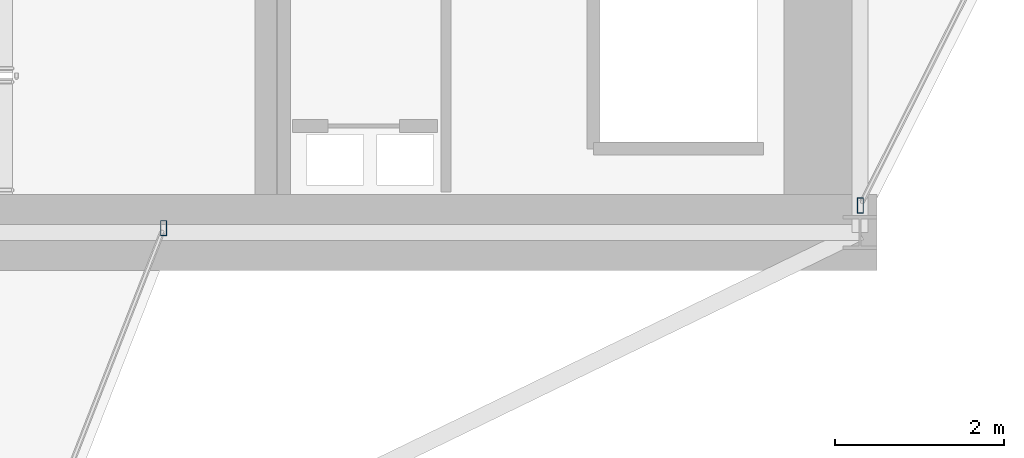
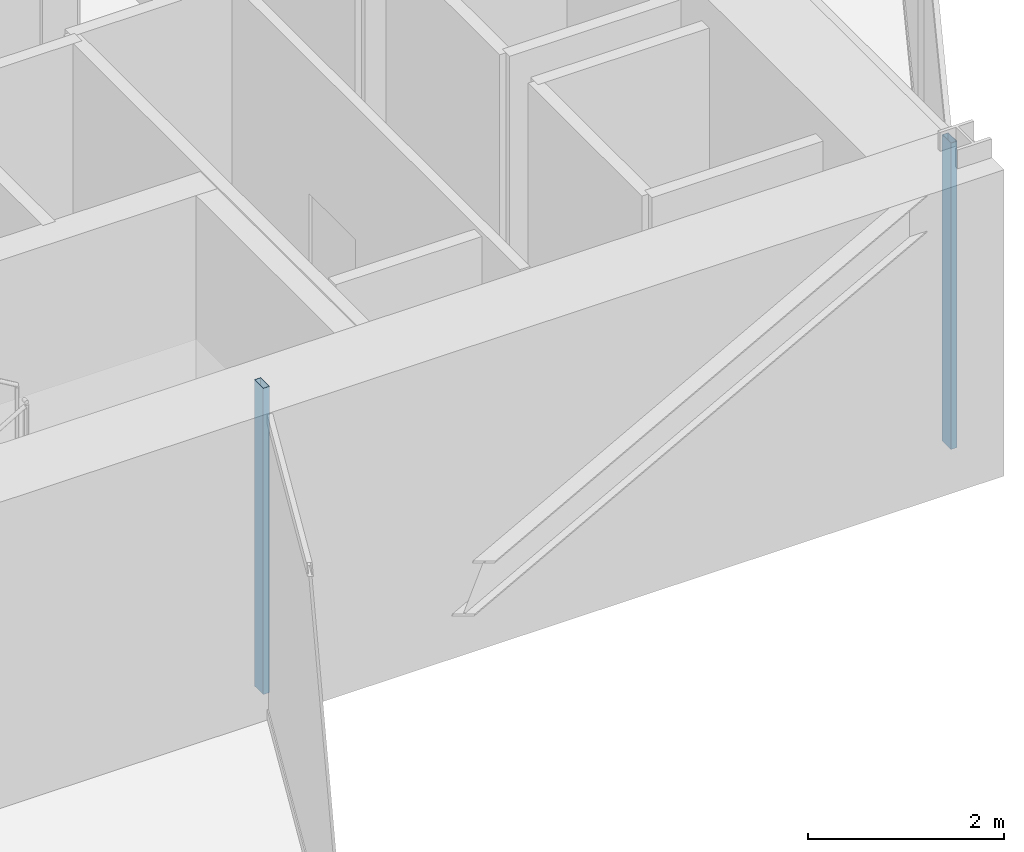
# One storey, part 15 of 29: 2 members, 2 elements without a shape of their own.
"""IFC4 building model written with IfcOpenShell, lengths in metres."""

import ifcopenshell
import ifcopenshell.guid

model = None  # the IFC model being written
_history = None  # IfcOwnerHistory: only IFC2X3 demands one
_inside = {}  # id of a spatial element -> (the spatial element, [elements in it])
_under = {}  # id of a project, library or spatial element -> (it, [spatial elements below it])
_declared = {}  # id of a project -> (the project, [libraries it declares])
_typed = {}  # id of a type object -> (the type object, [elements of that type])
_made_of = {}  # id of a material, layer set ... -> (it, [elements and type objects made of it])


def new_model(schema):
    """Start an empty IFC model of exactly this schema.

    Asked for "IFC4X3", IfcOpenShell would pick the latest addendum, in which some entities
    have other attributes; the version numbers below select the first issue.
    IFC2X3 requires an IfcOwnerHistory on every rooted entity: one is made here for all.
    """
    global model, _history
    if schema == "IFC4X3":
        model = ifcopenshell.file(schema_version=(4, 3, 0, 0))
    else:
        model = ifcopenshell.file(schema=schema)
    _inside.clear()
    _under.clear()
    _declared.clear()
    _typed.clear()
    _made_of.clear()
    _history = None
    if model.schema == "IFC2X3":
        org = make("IfcOrganization", Name="unknown")
        user = make(
            "IfcPersonAndOrganization",
            ThePerson=make("IfcPerson", FamilyName="unknown"),
            TheOrganization=org,
        )
        app = make(
            "IfcApplication",
            ApplicationDeveloper=org,
            Version="unknown",
            ApplicationFullName="unknown",
            ApplicationIdentifier="unknown",
        )
        _history = make(
            "IfcOwnerHistory",
            OwningUser=user,
            OwningApplication=app,
            ChangeAction="ADDED",
            CreationDate=0,
        )
    return model


def make(cls, **values):
    """One entity of the class cls with the attributes given. An attribute that is None is left unset."""
    return model.create_entity(
        cls, **{name: value for name, value in values.items() if value is not None}
    )


def rooted(cls, **values):
    """An entity with a GlobalId (a new one), such as an element, a storey or a relation."""
    return make(cls, GlobalId=ifcopenshell.guid.new(), OwnerHistory=_history, **values)


def si_unit(unit_type, name, prefix=None):
    """IfcSIUnit, for example si_unit("LENGTHUNIT", "METRE", prefix="MILLI")."""
    return make("IfcSIUnit", UnitType=unit_type, Prefix=prefix, Name=name)


def assignment(units):
    """IfcUnitAssignment: the units of a project."""
    return None if units is None else make("IfcUnitAssignment", Units=units)


def point(xyz):
    """IfcCartesianPoint."""
    return None if xyz is None else make("IfcCartesianPoint", Coordinates=xyz)


def direction(xyz):
    """IfcDirection."""
    return None if xyz is None else make("IfcDirection", DirectionRatios=xyz)


def frame(location, z_axis=None, x_axis=None):
    """IfcAxis2Placement3D, a coordinate frame: its origin and axes. An axis left out is left unset."""
    return make(
        "IfcAxis2Placement3D",
        Location=point(location),
        Axis=direction(z_axis),
        RefDirection=direction(x_axis),
    )


def frame_2d(location, x_axis=None):
    """IfcAxis2Placement2D, a coordinate frame in the plane: its origin and x axis."""
    return make(
        "IfcAxis2Placement2D", Location=point(location), RefDirection=direction(x_axis)
    )


def origin():
    """The frame at (0, 0, 0) with its axes left unset."""
    return frame((0.0, 0.0, 0.0))


def origin_2d():
    """The frame at (0, 0) in the plane with its x axis left unset."""
    return frame_2d((0.0, 0.0))


def place(relative_to, where):
    """IfcLocalPlacement: puts the frame where relative to a parent placement (None: the world)."""
    return make(
        "IfcLocalPlacement", PlacementRelTo=relative_to, RelativePlacement=where
    )


def context(
    kind, dimensions, precision=None, world=None, true_north=None, identifier=None
):
    """IfcGeometricRepresentationContext, for example the 3D "Model" context."""
    return make(
        "IfcGeometricRepresentationContext",
        ContextIdentifier=identifier,
        ContextType=kind,
        CoordinateSpaceDimension=dimensions,
        Precision=precision,
        WorldCoordinateSystem=world,
        TrueNorth=true_north,
    )


def subcontext(parent, identifier, kind, view, scale=None):
    """IfcGeometricRepresentationSubContext, for example "Body" below "Model"."""
    return make(
        "IfcGeometricRepresentationSubContext",
        ContextIdentifier=identifier,
        ContextType=kind,
        ParentContext=parent,
        TargetScale=scale,
        TargetView=view,
    )


def project(units=None, contexts=None):
    """IfcProject with its units and contexts."""
    return rooted(
        "IfcProject",
        Name="project",
        RepresentationContexts=contexts,
        UnitsInContext=assignment(units),
    )


def spatial(cls, under=None, at=None, **own):
    """A site, building, storey or space (cls), placed at a placement, below another one or the project."""
    s = rooted(cls, ObjectPlacement=at, **own)
    if under is not None:
        _under.setdefault(under.id(), (under, []))[1].append(s)
    return s


def profile(cls, at=None, kind="AREA", **sizes):
    """A parametric profile (cls). Its sizes go by their IFC names, for example OverallWidth=200.0."""
    return make(cls, ProfileType=kind, Position=at, **sizes)


def hollow_rectangle(**sizes):
    """IfcRectangleHollowProfileDef."""
    return profile("IfcRectangleHollowProfileDef", **sizes)


def extrude(swept, where, along, depth):
    """IfcExtrudedAreaSolid: the profile swept, set in the frame where, extruded along a direction by depth."""
    return make(
        "IfcExtrudedAreaSolid",
        SweptArea=swept,
        Position=where,
        ExtrudedDirection=direction(along),
        Depth=depth,
    )


def shape(context_of_items, identifier, shape_type, items):
    """IfcShapeRepresentation: the items that make up one representation, for example the "Body"."""
    return make(
        "IfcShapeRepresentation",
        ContextOfItems=context_of_items,
        RepresentationIdentifier=identifier,
        RepresentationType=shape_type,
        Items=items,
    )


def material(Name=None, Category=None):
    """IfcMaterial."""
    return make("IfcMaterial", Name=Name, Category=Category)


def layer(
    of_material, thickness, ventilated=None, Name=None, Category=None, Priority=None
):
    """IfcMaterialLayer: one layer of a wall or slab, of a material (None: an air gap)."""
    return make(
        "IfcMaterialLayer",
        Material=of_material,
        LayerThickness=thickness,
        IsVentilated=ventilated,
        Name=Name,
        Category=Category,
        Priority=Priority,
    )


def layer_set(layers, Name=None):
    """IfcMaterialLayerSet."""
    return make("IfcMaterialLayerSet", MaterialLayers=layers, LayerSetName=Name)


def material_profile(
    of_material, cross_section, Name=None, Category=None, Priority=None
):
    """IfcMaterialProfile: a cross section and its material."""
    return make(
        "IfcMaterialProfile",
        Name=Name,
        Material=of_material,
        Profile=cross_section,
        Priority=Priority,
        Category=Category,
    )


def profile_set(profiles, Name=None, composite=None):
    """IfcMaterialProfileSet."""
    return make(
        "IfcMaterialProfileSet",
        Name=Name,
        MaterialProfiles=profiles,
        CompositeProfile=composite,
    )


def made_of(thing, what):
    """Note that an element or type object is made of a material, layer set ...; save() writes the relation."""
    if what is not None:
        _made_of.setdefault(what.id(), (what, []))[1].append(thing)
    return thing


def type_object(cls, material=None, **own):
    """A type object (cls), such as IfcWallType, which elements share."""
    return made_of(rooted(cls, **own), material)


def element(
    cls,
    number,
    at=None,
    inside=None,
    cuts=None,
    type_object=None,
    material=None,
    context=None,
    identifier="Body",
    shape_type=None,
    held_by="IfcProductDefinitionShape",
    body=None,
    shapes=None,
    **own,
):
    """One element of the class cls, such as IfcWall. Its Tag is "e" and its number.

    at: its placement. inside: the storey or other place that contains it. cuts: it is an
    opening in that element (IfcRelVoidsElement). A single representation is given by context,
    identifier, shape_type and body (its items); several are given by shapes. held_by: the class
    of the entity that holds the representations. save() writes the other relations.
    """
    e = rooted(cls, Tag="e%d" % number, ObjectPlacement=at, **own)
    if body is not None:
        shapes = [shape(context, identifier, shape_type, body)]
    if shapes is not None:
        e.Representation = make(held_by, Representations=shapes)
    if inside is not None:
        _inside.setdefault(inside.id(), (inside, []))[1].append(e)
    if cuts is not None:
        rooted(
            "IfcRelVoidsElement", RelatingBuildingElement=cuts, RelatedOpeningElement=e
        )
    if type_object is not None:
        _typed.setdefault(type_object.id(), (type_object, []))[1].append(e)
    return made_of(e, material)


def aggregate(whole, parts):
    """IfcRelAggregates: a whole, such as a stair, and the parts it consists of."""
    return rooted("IfcRelAggregates", RelatingObject=whole, RelatedObjects=parts)


def save(model, path):
    """Write the relations noted so far, then the file.

    IfcRelAggregates (storeys below a building ...), IfcRelContainedInSpatialStructure (elements
    in a storey), IfcRelDefinesByType, IfcRelAssociatesMaterial and IfcRelDeclares: one each for
    every whole, place, type object, material and project.
    """
    for whole, parts in _under.values():
        aggregate(whole, parts)
    for where, things in _inside.values():
        rooted(
            "IfcRelContainedInSpatialStructure",
            RelatedElements=things,
            RelatingStructure=where,
        )
    for kind, things in _typed.values():
        rooted("IfcRelDefinesByType", RelatedObjects=things, RelatingType=kind)
    for what, things in _made_of.values():
        rooted("IfcRelAssociatesMaterial", RelatedObjects=things, RelatingMaterial=what)
    for by, libraries in _declared.values():
        rooted("IfcRelDeclares", RelatingContext=by, RelatedDefinitions=libraries)
    model.write(path)


model = new_model("IFC4")

# Units and contexts
model_context = context("Model", 3, precision=1e-05, world=origin(), true_north=direction((0.0, 1.0)))
body_context = subcontext(model_context, "Body", "Model", "MODEL_VIEW")
ifc_project = project(units=[si_unit("LENGTHUNIT", "METRE"), si_unit("AREAUNIT", "SQUARE_METRE"), si_unit("VOLUMEUNIT", "CUBIC_METRE"), si_unit("PLANEANGLEUNIT", "RADIAN"), si_unit("MASSUNIT", "GRAM", prefix="KILO")], contexts=[model_context])

# Site, building, storey
site_placement = place(None, origin())
site = spatial("IfcSite", under=ifc_project, at=site_placement, CompositionType="ELEMENT")
building_placement = place(site_placement, origin())
building = spatial("IfcBuilding", under=site, at=building_placement, Name="Veymaron Broadcast Tower", CompositionType="ELEMENT")
storey_placement = place(building_placement, frame((0.0, 0.0, 58.050048828125)))
storey = spatial("IfcBuildingStorey", under=building, at=storey_placement, Name="L12", CompositionType="ELEMENT", Elevation=58.050048828125)

# Curtain wall, member
ifc_material_1 = material(Name="Anodised aluminium AA 6063-T6 and laminated low-E dark glass", Category="aluminium")
ifc_layer = layer(ifc_material_1, 0.179931640625)
ifc_layer_set = layer_set([ifc_layer], Name="Anodised aluminium AA 6063-T6 and laminated low-E dark glass")
curtain_wall_type = type_object("IfcCurtainWallType", Name="CW-SYS-02", PredefinedType="NOTDEFINED", material=ifc_layer_set)
curtain_wall_1_placement = place(storey_placement, origin())
curtain_wall_1 = element("IfcCurtainWall", 1, at=curtain_wall_1_placement, inside=storey, type_object=curtain_wall_type, Name="L12 dark-glass curtain wall CW-L12-E2-1", PredefinedType="NOTDEFINED")
ifc_material_2 = material(Name="Anodised aluminium AA 6063-T6", Category="aluminium")
ifc_material_profile = material_profile(ifc_material_2, hollow_rectangle(XDim=0.074951171875, YDim=0.179931640625, WallThickness=0.0048828125, at=origin_2d()), Name="AL180X75X5")
ifc_profile_set = profile_set([ifc_material_profile], Name="Anodised aluminium AA 6063-T6")
member_type = type_object("IfcMemberType", Name="CW-MUL-02", PredefinedType="MULLION", material=ifc_profile_set)
member_1_placement = place(storey_placement, frame((54.60400390625, 16.318603515625, 0.0), z_axis=(0.0, 0.0, 1.0), x_axis=(1.0, 0.0, 0.0)))
member_1 = element("IfcMember", 2, at=member_1_placement, type_object=member_type, Name="CW-L12-E2-1 mullion 0", PredefinedType="MULLION", context=body_context, shape_type="SweptSolid", body=[
    extrude(hollow_rectangle(XDim=0.074951171875, YDim=0.179931640625, WallThickness=0.0048828125, at=origin_2d()), origin(), (0.0, 0.0, 1.0), 3.81005859375),
])
aggregate(curtain_wall_1, [member_1])

curtain_wall_2_placement = place(storey_placement, origin())
curtain_wall_2 = element("IfcCurtainWall", 3, at=curtain_wall_2_placement, inside=storey, type_object=curtain_wall_type, Name="L12 dark-glass curtain wall CW-L12-E20-1", PredefinedType="NOTDEFINED")
member_2_placement = place(storey_placement, frame((46.356689453125, 16.051025390625, 0.0), z_axis=(0.0, 0.0, 1.0), x_axis=(1.0, 0.0, 0.0)))
member_2 = element("IfcMember", 4, at=member_2_placement, type_object=member_type, Name="CW-L12-E20-1 mullion 2", PredefinedType="MULLION", context=body_context, shape_type="SweptSolid", body=[
    extrude(hollow_rectangle(XDim=0.074951171875, YDim=0.179931640625, WallThickness=0.0048828125, at=origin_2d()), origin(), (0.0, 0.0, 1.0), 3.81005859375),
])
aggregate(curtain_wall_2, [member_2])

save(model, "model.ifc")
